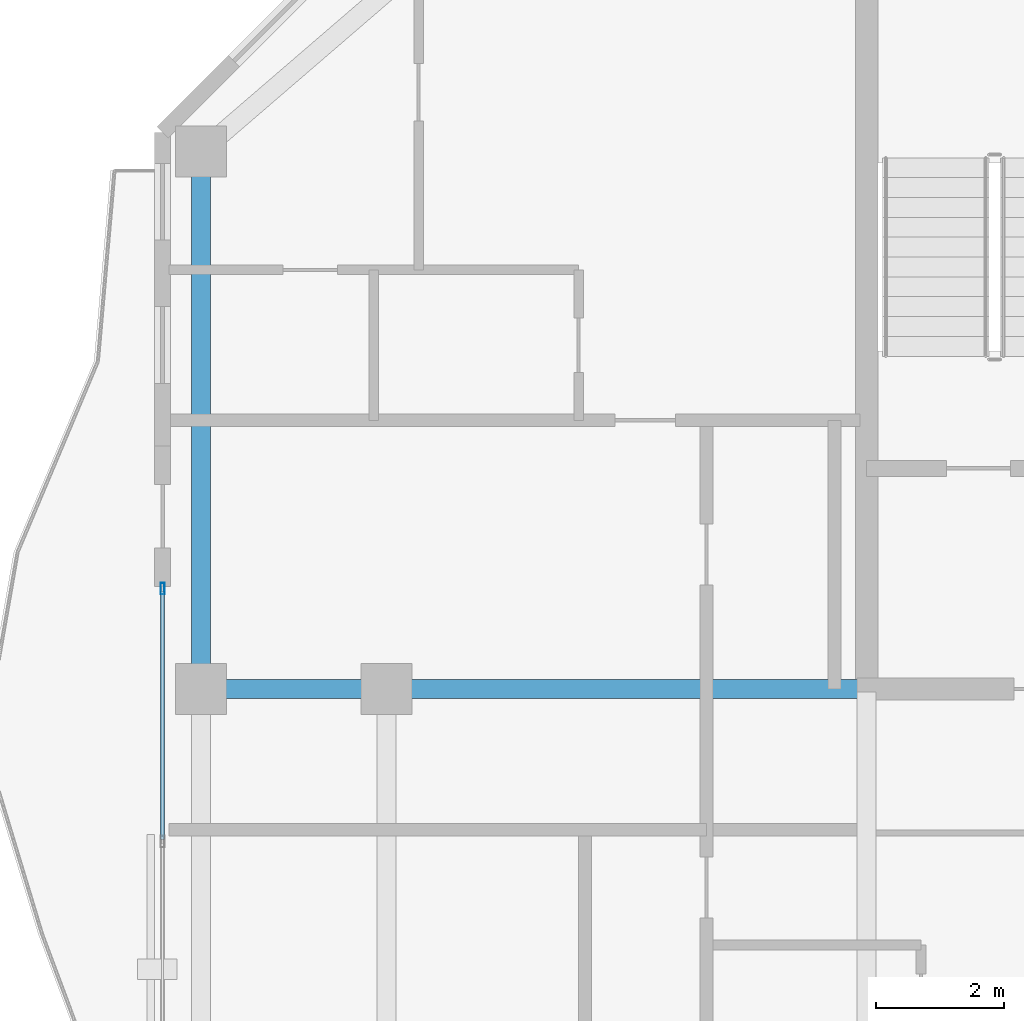
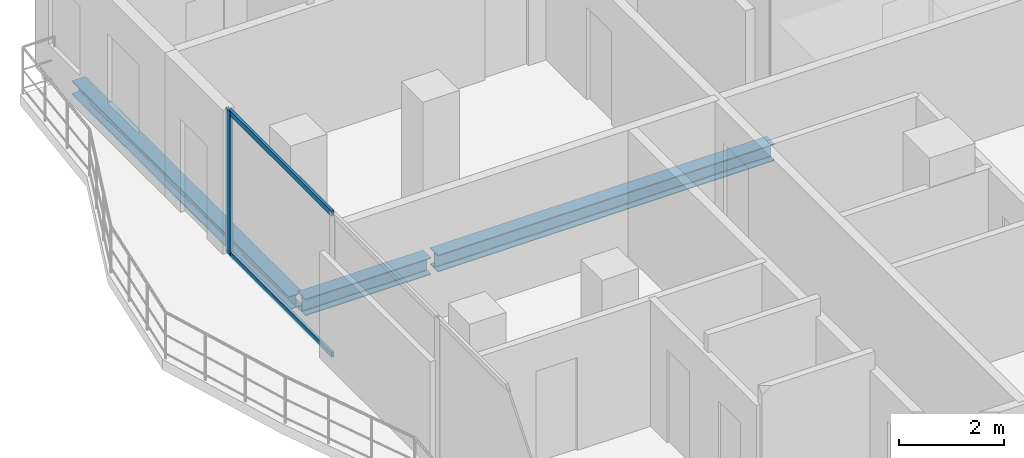
# One storey, part 9 of 23: 3 beams, 3 members, 1 element without a shape of its own.
"""IFC4 building model written with IfcOpenShell, lengths in metres."""

from ifc_helpers import new_model, si_unit, direction, frame, origin, origin_2d, place, context, subcontext, project, spatial, hollow_rectangle, i_section, extrude, material, layer, layer_set, material_profile, profile_set, type_object, element, aggregate, save


model = new_model("IFC4")

# Units and contexts
model_context = context("Model", 3, precision=1e-05, world=origin(), true_north=direction((0.0, 1.0)))
body_context = subcontext(model_context, "Body", "Model", "MODEL_VIEW")
ifc_project = project(units=[si_unit("LENGTHUNIT", "METRE"), si_unit("AREAUNIT", "SQUARE_METRE"), si_unit("VOLUMEUNIT", "CUBIC_METRE"), si_unit("PLANEANGLEUNIT", "RADIAN"), si_unit("MASSUNIT", "GRAM", prefix="KILO")], contexts=[model_context])

# Site, building, storey
site_placement = place(None, origin())
site = spatial("IfcSite", under=ifc_project, at=site_placement, CompositionType="ELEMENT")
building_placement = place(site_placement, origin())
building = spatial("IfcBuilding", under=site, at=building_placement, Name="Catumbela Crestline Tower", CompositionType="ELEMENT")
storey_placement = place(building_placement, frame((0.0, 0.0, 168.6)))
storey = spatial("IfcBuildingStorey", under=building, at=storey_placement, Name="L43", CompositionType="ELEMENT", Elevation=168.6)

# Beams
ifc_material_1 = material(Name="Structural steel S355J2", Category="steel")
ifc_material_profile_1 = material_profile(ifc_material_1, i_section(OverallWidth=0.3, OverallDepth=0.39, WebThickness=0.011, FlangeThickness=0.019, FilletRadius=0.027, at=origin_2d()), Name="HEA 400")
ifc_profile_set_1 = profile_set([ifc_material_profile_1], Name="Structural steel S355J2")
beam_type_1 = type_object("IfcBeamType", Name="BG-HEA400", PredefinedType="BEAM", material=ifc_profile_set_1)
beam_1_placement = place(storey_placement, frame((5.68, 30.8, -0.455), z_axis=(1.0, 0.0, 0.0), x_axis=(0.0, 1.0, 0.0)))
element("IfcBeam", 1, at=beam_1_placement, inside=storey, type_object=beam_type_1, Name="L43 Beam BM-L43-M06", PredefinedType="BEAM", context=body_context, shape_type="SweptSolid", body=[
    extrude(i_section(OverallWidth=0.3, OverallDepth=0.39, WebThickness=0.011, FlangeThickness=0.019, FilletRadius=0.027, at=origin_2d()), origin(), (0.0, 0.0, 1.0), 2.74),
])
beam_2_placement = place(storey_placement, frame((8.58, 30.8, -0.455), z_axis=(1.0, 0.0, 0.0), x_axis=(0.0, 1.0, 0.0)))
element("IfcBeam", 2, at=beam_2_placement, inside=storey, type_object=beam_type_1, Name="L43 Beam BM-L43-M07", PredefinedType="BEAM", context=body_context, shape_type="SweptSolid", body=[
    extrude(i_section(OverallWidth=0.3, OverallDepth=0.39, WebThickness=0.011, FlangeThickness=0.019, FilletRadius=0.027, at=origin_2d()), origin(), (0.0, 0.0, 1.0), 7.37),
])

# Curtain wall, member
ifc_material_2 = material(Name="Aluminium alloy AW-6060-T66", Category="aluminium")
ifc_layer = layer(ifc_material_2, 0.18, Name="Aluminium alloy AW-6060-T66")
ifc_layer_set = layer_set([ifc_layer], Name="Aluminium alloy AW-6060-T66")
curtain_wall_type = type_object("IfcCurtainWallType", Name="CWU-Z3", PredefinedType="USERDEFINED", material=ifc_layer_set)
curtain_wall_placement = place(storey_placement, origin())
curtain_wall = element("IfcCurtainWall", 3, at=curtain_wall_placement, inside=storey, type_object=curtain_wall_type, Name="L43 Unitised Curtain Wall CW-L43-E9S2", ObjectType="UNITISED", PredefinedType="USERDEFINED")
ifc_material_profile_2 = material_profile(ifc_material_2, hollow_rectangle(XDim=0.065, YDim=0.18, WallThickness=0.004, at=origin_2d()), Name="ALU 180x65x4")
ifc_profile_set_2 = profile_set([ifc_material_profile_2], Name="Aluminium alloy AW-6060-T66")
member_type_1 = type_object("IfcMemberType", Name="MUL-180X65", PredefinedType="MULLION", material=ifc_profile_set_2)
member_1_placement = place(storey_placement, frame((5.0, 32.3675, 0.0), z_axis=(0.0, 0.0, 1.0), x_axis=(1.0, 0.0, 0.0)))
member_1 = element("IfcMember", 4, at=member_1_placement, type_object=member_type_1, Name="CWU-Z3 mullion 1", PredefinedType="MULLION", context=body_context, shape_type="SweptSolid", body=[
    extrude(hollow_rectangle(XDim=0.065, YDim=0.18, WallThickness=0.004, at=origin_2d()), origin(), (0.0, 0.0, 1.0), 3.33),
])

# Beam
ifc_material_profile_3 = material_profile(ifc_material_1, i_section(OverallWidth=0.3, OverallDepth=0.31, WebThickness=0.009, FlangeThickness=0.0155, FilletRadius=0.027, at=origin_2d()), Name="HEA 320")
ifc_profile_set_3 = profile_set([ifc_material_profile_3], Name="Structural steel S355J2")
beam_type_2 = type_object("IfcBeamType", Name="BS-HEA320", PredefinedType="SPANDREL", material=ifc_profile_set_3)
beam_3_placement = place(storey_placement, frame((5.6, 30.88, -0.415), z_axis=(0.0, 1.0, 0.0), x_axis=(-1.0, 0.0, 0.0)))
element("IfcBeam", 5, at=beam_3_placement, inside=storey, type_object=beam_type_2, Name="L43 Spandrel SP-L43-SN15", PredefinedType="SPANDREL", context=body_context, shape_type="SweptSolid", body=[
    extrude(i_section(OverallWidth=0.3, OverallDepth=0.31, WebThickness=0.009, FlangeThickness=0.0155, FilletRadius=0.027, at=origin_2d()), origin(), (0.0, 0.0, 1.0), 8.24),
])

# Member
ifc_material_profile_4 = material_profile(ifc_material_2, hollow_rectangle(XDim=0.06, YDim=0.12, WallThickness=0.0035, at=origin_2d()), Name="ALU 120x60x3.5")
ifc_profile_set_4 = profile_set([ifc_material_profile_4], Name="Aluminium alloy AW-6060-T66")
member_type_2 = type_object("IfcMemberType", Name="TRN-120X60", PredefinedType="USERDEFINED", material=ifc_profile_set_4)
member_2_placement = place(storey_placement, frame((5.0, 32.335, 0.03), z_axis=(0.0, -1.0, 0.0), x_axis=(1.0, 0.0, 0.0)))
member_2 = element("IfcMember", 6, at=member_2_placement, type_object=member_type_2, Name="CWU-Z3 transom 1.1", ObjectType="TRANSOM", PredefinedType="USERDEFINED", context=body_context, shape_type="SweptSolid", body=[
    extrude(hollow_rectangle(XDim=0.06, YDim=0.12, WallThickness=0.0035, at=origin_2d()), origin(), (0.0, 0.0, 1.0), 3.8858),
])

member_3_placement = place(storey_placement, frame((5.0, 32.335, 3.3), z_axis=(0.0, -1.0, 0.0), x_axis=(1.0, 0.0, 0.0)))
member_3 = element("IfcMember", 7, at=member_3_placement, type_object=member_type_2, Name="CWU-Z3 transom 1.2", ObjectType="TRANSOM", PredefinedType="USERDEFINED", context=body_context, shape_type="SweptSolid", body=[
    extrude(hollow_rectangle(XDim=0.06, YDim=0.12, WallThickness=0.0035, at=origin_2d()), origin(), (0.0, 0.0, 1.0), 3.8858),
])

aggregate(curtain_wall, [member_1, member_2, member_3])

save(model, "model.ifc")
